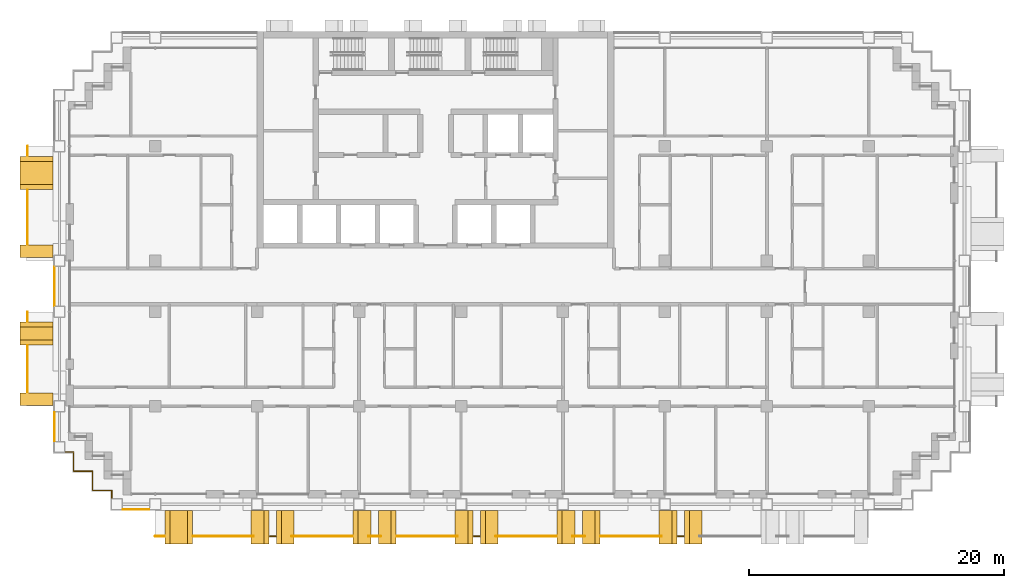
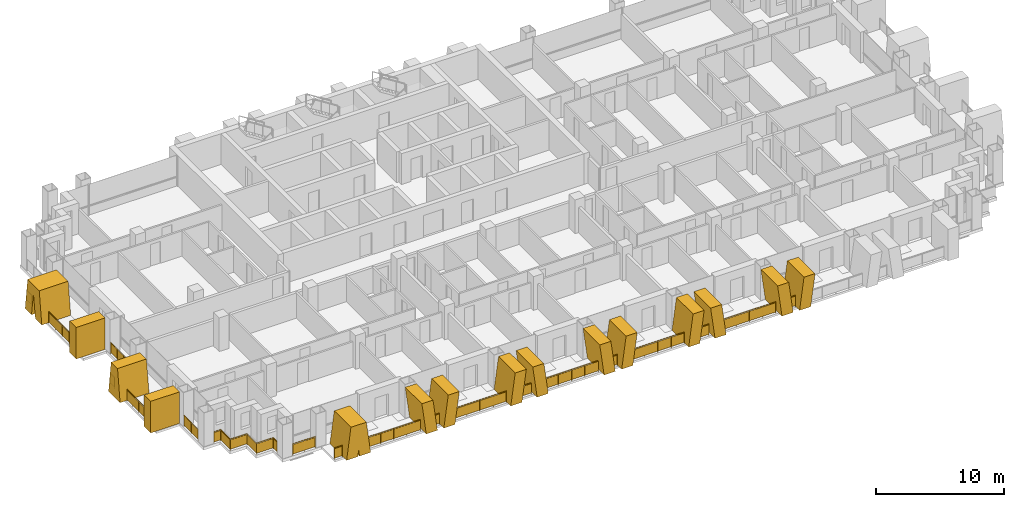
# One storey, part 15 of 18: 19 railings, 15 shading devices.
"""IFC4 building model written with IfcOpenShell, lengths in metres."""

import ifcopenshell
import ifcopenshell.guid

model = None  # the IFC model being written
_history = None  # IfcOwnerHistory: only IFC2X3 demands one
_inside = {}  # id of a spatial element -> (the spatial element, [elements in it])
_under = {}  # id of a project, library or spatial element -> (it, [spatial elements below it])
_declared = {}  # id of a project -> (the project, [libraries it declares])
_typed = {}  # id of a type object -> (the type object, [elements of that type])
_made_of = {}  # id of a material, layer set ... -> (it, [elements and type objects made of it])


def new_model(schema):
    """Start an empty IFC model of exactly this schema.

    Asked for "IFC4X3", IfcOpenShell would pick the latest addendum, in which some entities
    have other attributes; the version numbers below select the first issue.
    IFC2X3 requires an IfcOwnerHistory on every rooted entity: one is made here for all.
    """
    global model, _history
    if schema == "IFC4X3":
        model = ifcopenshell.file(schema_version=(4, 3, 0, 0))
    else:
        model = ifcopenshell.file(schema=schema)
    _inside.clear()
    _under.clear()
    _declared.clear()
    _typed.clear()
    _made_of.clear()
    _history = None
    if model.schema == "IFC2X3":
        org = make("IfcOrganization", Name="unknown")
        user = make(
            "IfcPersonAndOrganization",
            ThePerson=make("IfcPerson", FamilyName="unknown"),
            TheOrganization=org,
        )
        app = make(
            "IfcApplication",
            ApplicationDeveloper=org,
            Version="unknown",
            ApplicationFullName="unknown",
            ApplicationIdentifier="unknown",
        )
        _history = make(
            "IfcOwnerHistory",
            OwningUser=user,
            OwningApplication=app,
            ChangeAction="ADDED",
            CreationDate=0,
        )
    return model


def make(cls, **values):
    """One entity of the class cls with the attributes given. An attribute that is None is left unset."""
    return model.create_entity(
        cls, **{name: value for name, value in values.items() if value is not None}
    )


def rooted(cls, **values):
    """An entity with a GlobalId (a new one), such as an element, a storey or a relation."""
    return make(cls, GlobalId=ifcopenshell.guid.new(), OwnerHistory=_history, **values)


def si_unit(unit_type, name, prefix=None):
    """IfcSIUnit, for example si_unit("LENGTHUNIT", "METRE", prefix="MILLI")."""
    return make("IfcSIUnit", UnitType=unit_type, Prefix=prefix, Name=name)


def assignment(units):
    """IfcUnitAssignment: the units of a project."""
    return None if units is None else make("IfcUnitAssignment", Units=units)


def point(xyz):
    """IfcCartesianPoint."""
    return None if xyz is None else make("IfcCartesianPoint", Coordinates=xyz)


def direction(xyz):
    """IfcDirection."""
    return None if xyz is None else make("IfcDirection", DirectionRatios=xyz)


def frame(location, z_axis=None, x_axis=None):
    """IfcAxis2Placement3D, a coordinate frame: its origin and axes. An axis left out is left unset."""
    return make(
        "IfcAxis2Placement3D",
        Location=point(location),
        Axis=direction(z_axis),
        RefDirection=direction(x_axis),
    )


def frame_2d(location, x_axis=None):
    """IfcAxis2Placement2D, a coordinate frame in the plane: its origin and x axis."""
    return make(
        "IfcAxis2Placement2D", Location=point(location), RefDirection=direction(x_axis)
    )


def origin():
    """The frame at (0, 0, 0) with its axes left unset."""
    return frame((0.0, 0.0, 0.0))


def origin_2d():
    """The frame at (0, 0) in the plane with its x axis left unset."""
    return frame_2d((0.0, 0.0))


def place(relative_to, where):
    """IfcLocalPlacement: puts the frame where relative to a parent placement (None: the world)."""
    return make(
        "IfcLocalPlacement", PlacementRelTo=relative_to, RelativePlacement=where
    )


def context(
    kind, dimensions, precision=None, world=None, true_north=None, identifier=None
):
    """IfcGeometricRepresentationContext, for example the 3D "Model" context."""
    return make(
        "IfcGeometricRepresentationContext",
        ContextIdentifier=identifier,
        ContextType=kind,
        CoordinateSpaceDimension=dimensions,
        Precision=precision,
        WorldCoordinateSystem=world,
        TrueNorth=true_north,
    )


def subcontext(parent, identifier, kind, view, scale=None):
    """IfcGeometricRepresentationSubContext, for example "Body" below "Model"."""
    return make(
        "IfcGeometricRepresentationSubContext",
        ContextIdentifier=identifier,
        ContextType=kind,
        ParentContext=parent,
        TargetScale=scale,
        TargetView=view,
    )


def project(units=None, contexts=None):
    """IfcProject with its units and contexts."""
    return rooted(
        "IfcProject",
        Name="project",
        RepresentationContexts=contexts,
        UnitsInContext=assignment(units),
    )


def spatial(cls, under=None, at=None, **own):
    """A site, building, storey or space (cls), placed at a placement, below another one or the project."""
    s = rooted(cls, ObjectPlacement=at, **own)
    if under is not None:
        _under.setdefault(under.id(), (under, []))[1].append(s)
    return s


def polyline(points):
    """IfcPolyline through the points."""
    return make("IfcPolyline", Points=[point(p) for p in points])


def profile(cls, at=None, kind="AREA", **sizes):
    """A parametric profile (cls). Its sizes go by their IFC names, for example OverallWidth=200.0."""
    return make(cls, ProfileType=kind, Position=at, **sizes)


def rectangle(**sizes):
    """IfcRectangleProfileDef."""
    return profile("IfcRectangleProfileDef", **sizes)


def circle(**sizes):
    """IfcCircleProfileDef."""
    return profile("IfcCircleProfileDef", **sizes)


def outline(outer, holes=None, kind="AREA"):
    """IfcArbitraryClosedProfileDef: a profile drawn as a closed curve; with holes, ...WithVoids."""
    if holes is None:
        return make("IfcArbitraryClosedProfileDef", ProfileType=kind, OuterCurve=outer)
    return make(
        "IfcArbitraryProfileDefWithVoids",
        ProfileType=kind,
        OuterCurve=outer,
        InnerCurves=holes,
    )


def extrude(swept, where, along, depth):
    """IfcExtrudedAreaSolid: the profile swept, set in the frame where, extruded along a direction by depth."""
    return make(
        "IfcExtrudedAreaSolid",
        SweptArea=swept,
        Position=where,
        ExtrudedDirection=direction(along),
        Depth=depth,
    )


def shape(context_of_items, identifier, shape_type, items):
    """IfcShapeRepresentation: the items that make up one representation, for example the "Body"."""
    return make(
        "IfcShapeRepresentation",
        ContextOfItems=context_of_items,
        RepresentationIdentifier=identifier,
        RepresentationType=shape_type,
        Items=items,
    )


def material(Name=None, Category=None):
    """IfcMaterial."""
    return make("IfcMaterial", Name=Name, Category=Category)


def layer(
    of_material, thickness, ventilated=None, Name=None, Category=None, Priority=None
):
    """IfcMaterialLayer: one layer of a wall or slab, of a material (None: an air gap)."""
    return make(
        "IfcMaterialLayer",
        Material=of_material,
        LayerThickness=thickness,
        IsVentilated=ventilated,
        Name=Name,
        Category=Category,
        Priority=Priority,
    )


def layer_set(layers, Name=None):
    """IfcMaterialLayerSet."""
    return make("IfcMaterialLayerSet", MaterialLayers=layers, LayerSetName=Name)


def made_of(thing, what):
    """Note that an element or type object is made of a material, layer set ...; save() writes the relation."""
    if what is not None:
        _made_of.setdefault(what.id(), (what, []))[1].append(thing)
    return thing


def type_object(cls, material=None, **own):
    """A type object (cls), such as IfcWallType, which elements share."""
    return made_of(rooted(cls, **own), material)


def element(
    cls,
    number,
    at=None,
    inside=None,
    cuts=None,
    type_object=None,
    material=None,
    context=None,
    identifier="Body",
    shape_type=None,
    held_by="IfcProductDefinitionShape",
    body=None,
    shapes=None,
    **own,
):
    """One element of the class cls, such as IfcWall. Its Tag is "e" and its number.

    at: its placement. inside: the storey or other place that contains it. cuts: it is an
    opening in that element (IfcRelVoidsElement). A single representation is given by context,
    identifier, shape_type and body (its items); several are given by shapes. held_by: the class
    of the entity that holds the representations. save() writes the other relations.
    """
    e = rooted(cls, Tag="e%d" % number, ObjectPlacement=at, **own)
    if body is not None:
        shapes = [shape(context, identifier, shape_type, body)]
    if shapes is not None:
        e.Representation = make(held_by, Representations=shapes)
    if inside is not None:
        _inside.setdefault(inside.id(), (inside, []))[1].append(e)
    if cuts is not None:
        rooted(
            "IfcRelVoidsElement", RelatingBuildingElement=cuts, RelatedOpeningElement=e
        )
    if type_object is not None:
        _typed.setdefault(type_object.id(), (type_object, []))[1].append(e)
    return made_of(e, material)


def aggregate(whole, parts):
    """IfcRelAggregates: a whole, such as a stair, and the parts it consists of."""
    return rooted("IfcRelAggregates", RelatingObject=whole, RelatedObjects=parts)


def save(model, path):
    """Write the relations noted so far, then the file.

    IfcRelAggregates (storeys below a building ...), IfcRelContainedInSpatialStructure (elements
    in a storey), IfcRelDefinesByType, IfcRelAssociatesMaterial and IfcRelDeclares: one each for
    every whole, place, type object, material and project.
    """
    for whole, parts in _under.values():
        aggregate(whole, parts)
    for where, things in _inside.values():
        rooted(
            "IfcRelContainedInSpatialStructure",
            RelatedElements=things,
            RelatingStructure=where,
        )
    for kind, things in _typed.values():
        rooted("IfcRelDefinesByType", RelatedObjects=things, RelatingType=kind)
    for what, things in _made_of.values():
        rooted("IfcRelAssociatesMaterial", RelatedObjects=things, RelatingMaterial=what)
    for by, libraries in _declared.values():
        rooted("IfcRelDeclares", RelatingContext=by, RelatedDefinitions=libraries)
    model.write(path)


model = new_model("IFC4")

# Units and contexts
model_context = context("Model", 3, precision=1e-05, world=origin(), true_north=direction((0.0, 1.0)))
body_context = subcontext(model_context, "Body", "Model", "MODEL_VIEW")
ifc_project = project(units=[si_unit("LENGTHUNIT", "METRE"), si_unit("AREAUNIT", "SQUARE_METRE"), si_unit("VOLUMEUNIT", "CUBIC_METRE"), si_unit("PLANEANGLEUNIT", "RADIAN"), si_unit("MASSUNIT", "GRAM", prefix="KILO")], contexts=[model_context])

# Site, building, storey
site_placement = place(None, origin())
site = spatial("IfcSite", under=ifc_project, at=site_placement, CompositionType="ELEMENT")
building_placement = place(site_placement, origin())
building = spatial("IfcBuilding", under=site, at=building_placement, Name="Vidyagriha Tower", CompositionType="ELEMENT")
storey_placement = place(building_placement, frame((0.0, 0.0, 83.89990234375)))
storey = spatial("IfcBuildingStorey", under=building, at=storey_placement, Name="L21", CompositionType="ELEMENT", Elevation=83.89990234375)

# Railings
ifc_material_1 = material(Name="Steel ASTM A500 Grade C black painted", Category="steel")
railing_type_1 = type_object("IfcRailingType", Name="Balcony guard 1100", PredefinedType="BALUSTRADE", material=ifc_material_1)
railing_1_placement = place(storey_placement, frame((-32.0, 11.0, 0.0)))
element("IfcRailing", 1, at=railing_1_placement, inside=storey, type_object=railing_type_1, Name="Balcony guard L21 R16.1-1", PredefinedType="BALUSTRADE", context=body_context, shape_type="SweptSolid", body=[
    extrude(circle(Radius=0.02490234375, at=origin_2d()), frame((0.0, 0.0, 1.0751953125), z_axis=(0.0, -1.0, 0.0), x_axis=(1.0, 0.0, 0.0)), (0.0, 0.0, 1.0), 0.75),
    extrude(circle(Radius=0.02001953125, at=origin_2d()), origin(), (0.0, 0.0, 1.0), 1.050048828125),
    extrude(circle(Radius=0.02001953125, at=origin_2d()), frame((0.0, -0.75, 0.0)), (0.0, 0.0, 1.0), 1.050048828125),
    extrude(rectangle(XDim=0.010009765625, YDim=0.900146484375, at=origin_2d()), frame((0.0, 0.0, 0.550048828125), z_axis=(0.0, -1.0, 0.0), x_axis=(1.0, 0.0, 0.0)), (0.0, 0.0, 1.0), 0.75),
])
railing_2_placement = place(storey_placement, frame((-32.0, 7.550048828125, 0.0)))
element("IfcRailing", 2, at=railing_2_placement, inside=storey, type_object=railing_type_1, Name="Balcony guard L21 R16.1-2", PredefinedType="BALUSTRADE", context=body_context, shape_type="SweptSolid", body=[
    extrude(circle(Radius=0.02490234375, at=origin_2d()), frame((0.0, 0.0, 1.0751953125), z_axis=(0.0, -1.0, 0.0), x_axis=(1.0, 0.0, 0.0)), (0.0, 0.0, 1.0), 4.25),
    extrude(circle(Radius=0.02001953125, at=origin_2d()), origin(), (0.0, 0.0, 1.0), 1.050048828125),
    extrude(circle(Radius=0.02001953125, at=origin_2d()), frame((0.0, -1.0625, 0.0)), (0.0, 0.0, 1.0), 1.050048828125),
    extrude(circle(Radius=0.02001953125, at=origin_2d()), frame((0.0, -2.125, 0.0)), (0.0, 0.0, 1.0), 1.050048828125),
    extrude(circle(Radius=0.02001953125, at=origin_2d()), frame((0.0, -3.1875, 0.0)), (0.0, 0.0, 1.0), 1.050048828125),
    extrude(circle(Radius=0.02001953125, at=origin_2d()), frame((0.0, -4.25, 0.0)), (0.0, 0.0, 1.0), 1.050048828125),
    extrude(rectangle(XDim=0.010009765625, YDim=0.900146484375, at=origin_2d()), frame((0.0, 0.0, 0.550048828125), z_axis=(0.0, -1.0, 0.0), x_axis=(1.0, 0.0, 0.0)), (0.0, 0.0, 1.0), 4.25),
])
railing_3_placement = place(storey_placement, frame((-32.0, -2.0, 0.0)))
element("IfcRailing", 3, at=railing_3_placement, inside=storey, type_object=railing_type_1, Name="Balcony guard L21 R16.2-1", PredefinedType="BALUSTRADE", context=body_context, shape_type="SweptSolid", body=[
    extrude(circle(Radius=0.02490234375, at=origin_2d()), frame((0.0, 0.0, 1.0751953125), z_axis=(0.0, -1.0, 0.0), x_axis=(1.0, 0.0, 0.0)), (0.0, 0.0, 1.0), 0.75),
    extrude(circle(Radius=0.02001953125, at=origin_2d()), origin(), (0.0, 0.0, 1.0), 1.050048828125),
    extrude(circle(Radius=0.02001953125, at=origin_2d()), frame((0.0, -0.75, 0.0)), (0.0, 0.0, 1.0), 1.050048828125),
    extrude(rectangle(XDim=0.010009765625, YDim=0.900146484375, at=origin_2d()), frame((0.0, 0.0, 0.550048828125), z_axis=(0.0, -1.0, 0.0), x_axis=(1.0, 0.0, 0.0)), (0.0, 0.0, 1.0), 0.75),
])
railing_4_placement = place(storey_placement, frame((-32.0, -4.64990234375, 0.0)))
element("IfcRailing", 4, at=railing_4_placement, inside=storey, type_object=railing_type_1, Name="Balcony guard L21 R16.2-2", PredefinedType="BALUSTRADE", context=body_context, shape_type="SweptSolid", body=[
    extrude(circle(Radius=0.02490234375, at=origin_2d()), frame((0.0, 0.0, 1.0751953125), z_axis=(0.0, -1.0, 0.0), x_axis=(1.0, 0.0, 0.0)), (0.0, 0.0, 1.0), 3.650146484375),
    extrude(circle(Radius=0.02001953125, at=origin_2d()), origin(), (0.0, 0.0, 1.0), 1.050048828125),
    extrude(circle(Radius=0.02001953125, at=origin_2d()), frame((0.0, -0.91259765625, 0.0)), (0.0, 0.0, 1.0), 1.050048828125),
    extrude(circle(Radius=0.02001953125, at=origin_2d()), frame((0.0, -1.8251953125, 0.0)), (0.0, 0.0, 1.0), 1.050048828125),
    extrude(circle(Radius=0.02001953125, at=origin_2d()), frame((0.0, -2.737548828125, 0.0)), (0.0, 0.0, 1.0), 1.050048828125),
    extrude(circle(Radius=0.02001953125, at=origin_2d()), frame((0.0, -3.650146484375, 0.0)), (0.0, 0.0, 1.0), 1.050048828125),
    extrude(rectangle(XDim=0.010009765625, YDim=0.900146484375, at=origin_2d()), frame((0.0, 0.0, 0.550048828125), z_axis=(0.0, -1.0, 0.0), x_axis=(1.0, 0.0, 0.0)), (0.0, 0.0, 1.0), 3.650146484375),
])
railing_5_placement = place(storey_placement, frame((-22.0, -19.60009765625, 0.0)))
element("IfcRailing", 5, at=railing_5_placement, inside=storey, type_object=railing_type_1, Name="Balcony guard L21 R23.1-1", PredefinedType="BALUSTRADE", context=body_context, shape_type="SweptSolid", body=[
    extrude(circle(Radius=0.02490234375, at=origin_2d()), frame((0.0, 0.0, 1.0751953125), z_axis=(1.0, 0.0, 0.0), x_axis=(0.0, 1.0, 0.0)), (0.0, 0.0, 1.0), 0.721435546875),
    extrude(circle(Radius=0.02001953125, at=origin_2d()), origin(), (0.0, 0.0, 1.0), 1.050048828125),
    extrude(circle(Radius=0.02001953125, at=origin_2d()), frame((0.721435546875, 0.0, 0.0)), (0.0, 0.0, 1.0), 1.050048828125),
    extrude(rectangle(XDim=0.010009765625, YDim=0.900146484375, at=origin_2d()), frame((0.0, 0.0, 0.550048828125), z_axis=(1.0, 0.0, 0.0), x_axis=(0.0, 1.0, 0.0)), (0.0, 0.0, 1.0), 0.721435546875),
])
railing_6_placement = place(storey_placement, frame((-19.021484375, -19.60009765625, 0.0)))
element("IfcRailing", 6, at=railing_6_placement, inside=storey, type_object=railing_type_1, Name="Balcony guard L21 R23.1-2", PredefinedType="BALUSTRADE", context=body_context, shape_type="SweptSolid", body=[
    extrude(circle(Radius=0.02490234375, at=origin_2d()), frame((0.0, 0.0, 1.0751953125), z_axis=(1.0, 0.0, 0.0), x_axis=(0.0, 1.0, 0.0)), (0.0, 0.0, 1.0), 4.755126953125),
    extrude(circle(Radius=0.02001953125, at=origin_2d()), origin(), (0.0, 0.0, 1.0), 1.050048828125),
    extrude(circle(Radius=0.02001953125, at=origin_2d()), frame((1.188720703125, 0.0, 0.0)), (0.0, 0.0, 1.0), 1.050048828125),
    extrude(circle(Radius=0.02001953125, at=origin_2d()), frame((2.37744140625, 0.0, 0.0)), (0.0, 0.0, 1.0), 1.050048828125),
    extrude(circle(Radius=0.02001953125, at=origin_2d()), frame((3.56640625, 0.0, 0.0)), (0.0, 0.0, 1.0), 1.050048828125),
    extrude(circle(Radius=0.02001953125, at=origin_2d()), frame((4.755126953125, 0.0, 0.0)), (0.0, 0.0, 1.0), 1.050048828125),
    extrude(rectangle(XDim=0.010009765625, YDim=0.900146484375, at=origin_2d()), frame((0.0, 0.0, 0.550048828125), z_axis=(1.0, 0.0, 0.0), x_axis=(0.0, 1.0, 0.0)), (0.0, 0.0, 1.0), 4.755126953125),
])
railing_7_placement = place(storey_placement, frame((-13.014892578125, -19.60009765625, 0.0)))
element("IfcRailing", 7, at=railing_7_placement, inside=storey, type_object=railing_type_1, Name="Balcony guard L21 R23.1-3", PredefinedType="BALUSTRADE", context=body_context, shape_type="SweptSolid", body=[
    extrude(circle(Radius=0.02490234375, at=origin_2d()), frame((0.0, 0.0, 1.0751953125), z_axis=(1.0, 0.0, 0.0), x_axis=(0.0, 1.0, 0.0)), (0.0, 0.0, 1.0), 0.47998046875),
    extrude(circle(Radius=0.02001953125, at=origin_2d()), origin(), (0.0, 0.0, 1.0), 1.050048828125),
    extrude(circle(Radius=0.02001953125, at=origin_2d()), frame((0.47998046875, 0.0, 0.0)), (0.0, 0.0, 1.0), 1.050048828125),
    extrude(rectangle(XDim=0.010009765625, YDim=0.900146484375, at=origin_2d()), frame((0.0, 0.0, 0.550048828125), z_axis=(1.0, 0.0, 0.0), x_axis=(0.0, 1.0, 0.0)), (0.0, 0.0, 1.0), 0.47998046875),
])
railing_8_placement = place(storey_placement, frame((-11.28369140625, -19.60009765625, 0.0)))
element("IfcRailing", 8, at=railing_8_placement, inside=storey, type_object=railing_type_1, Name="Balcony guard L21 R23.1-4", PredefinedType="BALUSTRADE", context=body_context, shape_type="SweptSolid", body=[
    extrude(circle(Radius=0.02490234375, at=origin_2d()), frame((0.0, 0.0, 1.0751953125), z_axis=(1.0, 0.0, 0.0), x_axis=(0.0, 1.0, 0.0)), (0.0, 0.0, 1.0), 4.773681640625),
    extrude(circle(Radius=0.02001953125, at=origin_2d()), origin(), (0.0, 0.0, 1.0), 1.050048828125),
    extrude(circle(Radius=0.02001953125, at=origin_2d()), frame((1.193359375, 0.0, 0.0)), (0.0, 0.0, 1.0), 1.050048828125),
    extrude(circle(Radius=0.02001953125, at=origin_2d()), frame((2.38671875, 0.0, 0.0)), (0.0, 0.0, 1.0), 1.050048828125),
    extrude(circle(Radius=0.02001953125, at=origin_2d()), frame((3.580322265625, 0.0, 0.0)), (0.0, 0.0, 1.0), 1.050048828125),
    extrude(circle(Radius=0.02001953125, at=origin_2d()), frame((4.773681640625, 0.0, 0.0)), (0.0, 0.0, 1.0), 1.050048828125),
    extrude(rectangle(XDim=0.010009765625, YDim=0.900146484375, at=origin_2d()), frame((0.0, 0.0, 0.550048828125), z_axis=(1.0, 0.0, 0.0), x_axis=(0.0, 1.0, 0.0)), (0.0, 0.0, 1.0), 4.773681640625),
])
railing_9_placement = place(storey_placement, frame((-5.258544921875, -19.60009765625, 0.0)))
element("IfcRailing", 9, at=railing_9_placement, inside=storey, type_object=railing_type_1, Name="Balcony guard L21 R23.1-5", PredefinedType="BALUSTRADE", context=body_context, shape_type="SweptSolid", body=[
    extrude(circle(Radius=0.02490234375, at=origin_2d()), frame((0.0, 0.0, 1.0751953125), z_axis=(1.0, 0.0, 0.0), x_axis=(0.0, 1.0, 0.0)), (0.0, 0.0, 1.0), 0.967041015625),
    extrude(circle(Radius=0.02001953125, at=origin_2d()), origin(), (0.0, 0.0, 1.0), 1.050048828125),
    extrude(circle(Radius=0.02001953125, at=origin_2d()), frame((0.967041015625, 0.0, 0.0)), (0.0, 0.0, 1.0), 1.050048828125),
    extrude(rectangle(XDim=0.010009765625, YDim=0.900146484375, at=origin_2d()), frame((0.0, 0.0, 0.550048828125), z_axis=(1.0, 0.0, 0.0), x_axis=(0.0, 1.0, 0.0)), (0.0, 0.0, 1.0), 0.967041015625),
])
railing_10_placement = place(storey_placement, frame((-3.0400390625, -19.60009765625, 0.0)))
element("IfcRailing", 10, at=railing_10_placement, inside=storey, type_object=railing_type_1, Name="Balcony guard L21 R23.1-6", PredefinedType="BALUSTRADE", context=body_context, shape_type="SweptSolid", body=[
    extrude(circle(Radius=0.02490234375, at=origin_2d()), frame((0.0, 0.0, 1.0751953125), z_axis=(1.0, 0.0, 0.0), x_axis=(0.0, 1.0, 0.0)), (0.0, 0.0, 1.0), 4.773681640625),
    extrude(circle(Radius=0.02001953125, at=origin_2d()), origin(), (0.0, 0.0, 1.0), 1.050048828125),
    extrude(circle(Radius=0.02001953125, at=origin_2d()), frame((1.193359375, 0.0, 0.0)), (0.0, 0.0, 1.0), 1.050048828125),
    extrude(circle(Radius=0.02001953125, at=origin_2d()), frame((2.38671875, 0.0, 0.0)), (0.0, 0.0, 1.0), 1.050048828125),
    extrude(circle(Radius=0.02001953125, at=origin_2d()), frame((3.580322265625, 0.0, 0.0)), (0.0, 0.0, 1.0), 1.050048828125),
    extrude(circle(Radius=0.02001953125, at=origin_2d()), frame((4.773681640625, 0.0, 0.0)), (0.0, 0.0, 1.0), 1.050048828125),
    extrude(rectangle(XDim=0.010009765625, YDim=0.900146484375, at=origin_2d()), frame((0.0, 0.0, 0.550048828125), z_axis=(1.0, 0.0, 0.0), x_axis=(0.0, 1.0, 0.0)), (0.0, 0.0, 1.0), 4.773681640625),
])
railing_11_placement = place(storey_placement, frame((2.985107421875, -19.60009765625, 0.0)))
element("IfcRailing", 11, at=railing_11_placement, inside=storey, type_object=railing_type_1, Name="Balcony guard L21 R23.1-7", PredefinedType="BALUSTRADE", context=body_context, shape_type="SweptSolid", body=[
    extrude(circle(Radius=0.02490234375, at=origin_2d()), frame((0.0, 0.0, 1.0751953125), z_axis=(1.0, 0.0, 0.0), x_axis=(0.0, 1.0, 0.0)), (0.0, 0.0, 1.0), 0.47998046875),
    extrude(circle(Radius=0.02001953125, at=origin_2d()), origin(), (0.0, 0.0, 1.0), 1.050048828125),
    extrude(circle(Radius=0.02001953125, at=origin_2d()), frame((0.47998046875, 0.0, 0.0)), (0.0, 0.0, 1.0), 1.050048828125),
    extrude(rectangle(XDim=0.010009765625, YDim=0.900146484375, at=origin_2d()), frame((0.0, 0.0, 0.550048828125), z_axis=(1.0, 0.0, 0.0), x_axis=(0.0, 1.0, 0.0)), (0.0, 0.0, 1.0), 0.47998046875),
])
railing_12_placement = place(storey_placement, frame((4.71630859375, -19.60009765625, 0.0)))
element("IfcRailing", 12, at=railing_12_placement, inside=storey, type_object=railing_type_1, Name="Balcony guard L21 R23.1-8", PredefinedType="BALUSTRADE", context=body_context, shape_type="SweptSolid", body=[
    extrude(circle(Radius=0.02490234375, at=origin_2d()), frame((0.0, 0.0, 1.0751953125), z_axis=(1.0, 0.0, 0.0), x_axis=(0.0, 1.0, 0.0)), (0.0, 0.0, 1.0), 4.773681640625),
    extrude(circle(Radius=0.02001953125, at=origin_2d()), origin(), (0.0, 0.0, 1.0), 1.050048828125),
    extrude(circle(Radius=0.02001953125, at=origin_2d()), frame((1.193359375, 0.0, 0.0)), (0.0, 0.0, 1.0), 1.050048828125),
    extrude(circle(Radius=0.02001953125, at=origin_2d()), frame((2.38671875, 0.0, 0.0)), (0.0, 0.0, 1.0), 1.050048828125),
    extrude(circle(Radius=0.02001953125, at=origin_2d()), frame((3.580322265625, 0.0, 0.0)), (0.0, 0.0, 1.0), 1.050048828125),
    extrude(circle(Radius=0.02001953125, at=origin_2d()), frame((4.773681640625, 0.0, 0.0)), (0.0, 0.0, 1.0), 1.050048828125),
    extrude(rectangle(XDim=0.010009765625, YDim=0.900146484375, at=origin_2d()), frame((0.0, 0.0, 0.550048828125), z_axis=(1.0, 0.0, 0.0), x_axis=(0.0, 1.0, 0.0)), (0.0, 0.0, 1.0), 4.773681640625),
])
railing_13_placement = place(storey_placement, frame((10.741455078125, -19.60009765625, 0.0)))
element("IfcRailing", 13, at=railing_13_placement, inside=storey, type_object=railing_type_1, Name="Balcony guard L21 R23.1-9", PredefinedType="BALUSTRADE", context=body_context, shape_type="SweptSolid", body=[
    extrude(circle(Radius=0.02490234375, at=origin_2d()), frame((0.0, 0.0, 1.0751953125), z_axis=(1.0, 0.0, 0.0), x_axis=(0.0, 1.0, 0.0)), (0.0, 0.0, 1.0), 0.967041015625),
    extrude(circle(Radius=0.02001953125, at=origin_2d()), origin(), (0.0, 0.0, 1.0), 1.050048828125),
    extrude(circle(Radius=0.02001953125, at=origin_2d()), frame((0.967041015625, 0.0, 0.0)), (0.0, 0.0, 1.0), 1.050048828125),
    extrude(rectangle(XDim=0.010009765625, YDim=0.900146484375, at=origin_2d()), frame((0.0, 0.0, 0.550048828125), z_axis=(1.0, 0.0, 0.0), x_axis=(0.0, 1.0, 0.0)), (0.0, 0.0, 1.0), 0.967041015625),
])
railing_14_placement = place(storey_placement, frame((12.9599609375, -19.60009765625, 0.0)))
element("IfcRailing", 14, at=railing_14_placement, inside=storey, type_object=railing_type_1, Name="Balcony guard L21 R23.1-10", PredefinedType="BALUSTRADE", context=body_context, shape_type="SweptSolid", body=[
    extrude(circle(Radius=0.02490234375, at=origin_2d()), frame((0.0, 0.0, 1.0751953125), z_axis=(1.0, 0.0, 0.0), x_axis=(0.0, 1.0, 0.0)), (0.0, 0.0, 1.0), 4.773681640625),
    extrude(circle(Radius=0.02001953125, at=origin_2d()), origin(), (0.0, 0.0, 1.0), 1.050048828125),
    extrude(circle(Radius=0.02001953125, at=origin_2d()), frame((1.193359375, 0.0, 0.0)), (0.0, 0.0, 1.0), 1.050048828125),
    extrude(circle(Radius=0.02001953125, at=origin_2d()), frame((2.38671875, 0.0, 0.0)), (0.0, 0.0, 1.0), 1.050048828125),
    extrude(circle(Radius=0.02001953125, at=origin_2d()), frame((3.580322265625, 0.0, 0.0)), (0.0, 0.0, 1.0), 1.050048828125),
    extrude(circle(Radius=0.02001953125, at=origin_2d()), frame((4.773681640625, 0.0, 0.0)), (0.0, 0.0, 1.0), 1.050048828125),
    extrude(rectangle(XDim=0.010009765625, YDim=0.900146484375, at=origin_2d()), frame((0.0, 0.0, 0.550048828125), z_axis=(1.0, 0.0, 0.0), x_axis=(0.0, 1.0, 0.0)), (0.0, 0.0, 1.0), 4.773681640625),
])
railing_15_placement = place(storey_placement, frame((18.985107421875, -19.60009765625, 0.0)))
element("IfcRailing", 15, at=railing_15_placement, inside=storey, type_object=railing_type_1, Name="Balcony guard L21 R23.1-11", PredefinedType="BALUSTRADE", context=body_context, shape_type="SweptSolid", body=[
    extrude(circle(Radius=0.02490234375, at=origin_2d()), frame((0.0, 0.0, 1.0751953125), z_axis=(1.0, 0.0, 0.0), x_axis=(0.0, 1.0, 0.0)), (0.0, 0.0, 1.0), 0.47998046875),
    extrude(circle(Radius=0.02001953125, at=origin_2d()), origin(), (0.0, 0.0, 1.0), 1.050048828125),
    extrude(circle(Radius=0.02001953125, at=origin_2d()), frame((0.47998046875, 0.0, 0.0)), (0.0, 0.0, 1.0), 1.050048828125),
    extrude(rectangle(XDim=0.010009765625, YDim=0.900146484375, at=origin_2d()), frame((0.0, 0.0, 0.550048828125), z_axis=(1.0, 0.0, 0.0), x_axis=(0.0, 1.0, 0.0)), (0.0, 0.0, 1.0), 0.47998046875),
])

# Shading devices
ifc_material_2 = material(Name="Precast concrete C40/50 with buff brick facing", Category="concrete")
ifc_layer_1 = layer(ifc_material_2, 1.0)
ifc_layer_set_1 = layer_set([ifc_layer_1], Name="Precast concrete C40/50 with buff brick facing")
shading_device_type_1 = type_object("IfcShadingDeviceType", Name="Brick-faced blade fin arm leaning 8 degrees", PredefinedType="USERDEFINED", material=ifc_layer_set_1)
shading_device_1_placement = place(storey_placement, frame((-12.485107421875, -18.89990234375, 0.0)))
element("IfcShadingDevice", 16, at=shading_device_1_placement, inside=storey, type_object=shading_device_type_1, Name="Leaning blade fin L21 R23.990a", ObjectType="BLADE FIN", PredefinedType="USERDEFINED", context=body_context, shape_type="SweptSolid", body=[
    extrude(outline(polyline([(0.0, 0.0), (1.0, 0.0), (1.39501953125, 3.0), (0.39501953125, 3.0), (0.0, 0.0)])), frame((0.0, 1.300048828125, 0.0), z_axis=(0.0, -1.0, 0.0), x_axis=(1.0, 0.0, 0.0)), (0.0, 0.0, 1.0), 2.60009765625),
])
shading_device_2_placement = place(storey_placement, frame((-14.4599609375, -18.89990234375, 0.0)))
element("IfcShadingDevice", 17, at=shading_device_2_placement, inside=storey, type_object=shading_device_type_1, Name="Leaning blade fin L21 R23.990b", ObjectType="BLADE FIN", PredefinedType="USERDEFINED", context=body_context, shape_type="SweptSolid", body=[
    extrude(outline(polyline([(0.39501953125, 0.0), (1.39501953125, 0.0), (1.0, 3.0), (0.0, 3.0), (0.39501953125, 0.0)])), frame((0.0, 1.300048828125, 0.0), z_axis=(0.0, -1.0, 0.0), x_axis=(1.0, 0.0, 0.0)), (0.0, 0.0, 1.0), 2.60009765625),
])
shading_device_3_placement = place(storey_placement, frame((-6.4599609375, -18.89990234375, 0.0)))
element("IfcShadingDevice", 18, at=shading_device_3_placement, inside=storey, type_object=shading_device_type_1, Name="Leaning blade fin L21 R23.1790a", ObjectType="BLADE FIN", PredefinedType="USERDEFINED", context=body_context, shape_type="SweptSolid", body=[
    extrude(outline(polyline([(0.0, 0.0), (1.0, 0.0), (1.39501953125, 3.0), (0.39501953125, 3.0), (0.0, 0.0)])), frame((0.0, 1.300048828125, 0.0), z_axis=(0.0, -1.0, 0.0), x_axis=(1.0, 0.0, 0.0)), (0.0, 0.0, 1.0), 2.60009765625),
])
shading_device_4_placement = place(storey_placement, frame((-4.485107421875, -18.89990234375, 0.0)))
element("IfcShadingDevice", 19, at=shading_device_4_placement, inside=storey, type_object=shading_device_type_1, Name="Leaning blade fin L21 R23.1790b", ObjectType="BLADE FIN", PredefinedType="USERDEFINED", context=body_context, shape_type="SweptSolid", body=[
    extrude(outline(polyline([(0.39501953125, 0.0), (1.39501953125, 0.0), (1.0, 3.0), (0.0, 3.0), (0.39501953125, 0.0)])), frame((0.0, 1.300048828125, 0.0), z_axis=(0.0, -1.0, 0.0), x_axis=(1.0, 0.0, 0.0)), (0.0, 0.0, 1.0), 2.60009765625),
])
shading_device_5_placement = place(storey_placement, frame((3.514892578125, -18.89990234375, 0.0)))
element("IfcShadingDevice", 20, at=shading_device_5_placement, inside=storey, type_object=shading_device_type_1, Name="Leaning blade fin L21 R23.2590a", ObjectType="BLADE FIN", PredefinedType="USERDEFINED", context=body_context, shape_type="SweptSolid", body=[
    extrude(outline(polyline([(0.0, 0.0), (1.0, 0.0), (1.39501953125, 3.0), (0.39501953125, 3.0), (0.0, 0.0)])), frame((0.0, 1.300048828125, 0.0), z_axis=(0.0, -1.0, 0.0), x_axis=(1.0, 0.0, 0.0)), (0.0, 0.0, 1.0), 2.60009765625),
])
shading_device_6_placement = place(storey_placement, frame((1.5400390625, -18.89990234375, 0.0)))
element("IfcShadingDevice", 21, at=shading_device_6_placement, inside=storey, type_object=shading_device_type_1, Name="Leaning blade fin L21 R23.2590b", ObjectType="BLADE FIN", PredefinedType="USERDEFINED", context=body_context, shape_type="SweptSolid", body=[
    extrude(outline(polyline([(0.39501953125, 0.0), (1.39501953125, 0.0), (1.0, 3.0), (0.0, 3.0), (0.39501953125, 0.0)])), frame((0.0, 1.300048828125, 0.0), z_axis=(0.0, -1.0, 0.0), x_axis=(1.0, 0.0, 0.0)), (0.0, 0.0, 1.0), 2.60009765625),
])
shading_device_7_placement = place(storey_placement, frame((9.5400390625, -18.89990234375, 0.0)))
element("IfcShadingDevice", 22, at=shading_device_7_placement, inside=storey, type_object=shading_device_type_1, Name="Leaning blade fin L21 R23.3390a", ObjectType="BLADE FIN", PredefinedType="USERDEFINED", context=body_context, shape_type="SweptSolid", body=[
    extrude(outline(polyline([(0.0, 0.0), (1.0, 0.0), (1.39501953125, 3.0), (0.39501953125, 3.0), (0.0, 0.0)])), frame((0.0, 1.300048828125, 0.0), z_axis=(0.0, -1.0, 0.0), x_axis=(1.0, 0.0, 0.0)), (0.0, 0.0, 1.0), 2.60009765625),
])
shading_device_8_placement = place(storey_placement, frame((11.514892578125, -18.89990234375, 0.0)))
element("IfcShadingDevice", 23, at=shading_device_8_placement, inside=storey, type_object=shading_device_type_1, Name="Leaning blade fin L21 R23.3390b", ObjectType="BLADE FIN", PredefinedType="USERDEFINED", context=body_context, shape_type="SweptSolid", body=[
    extrude(outline(polyline([(0.39501953125, 0.0), (1.39501953125, 0.0), (1.0, 3.0), (0.0, 3.0), (0.39501953125, 0.0)])), frame((0.0, 1.300048828125, 0.0), z_axis=(0.0, -1.0, 0.0), x_axis=(1.0, 0.0, 0.0)), (0.0, 0.0, 1.0), 2.60009765625),
])
shading_device_9_placement = place(storey_placement, frame((19.514892578125, -18.89990234375, 0.0)))
element("IfcShadingDevice", 24, at=shading_device_9_placement, inside=storey, type_object=shading_device_type_1, Name="Leaning blade fin L21 R23.4190a", ObjectType="BLADE FIN", PredefinedType="USERDEFINED", context=body_context, shape_type="SweptSolid", body=[
    extrude(outline(polyline([(0.0, 0.0), (1.0, 0.0), (1.39501953125, 3.0), (0.39501953125, 3.0), (0.0, 0.0)])), frame((0.0, 1.300048828125, 0.0), z_axis=(0.0, -1.0, 0.0), x_axis=(1.0, 0.0, 0.0)), (0.0, 0.0, 1.0), 2.60009765625),
])
shading_device_10_placement = place(storey_placement, frame((17.5400390625, -18.89990234375, 0.0)))
element("IfcShadingDevice", 25, at=shading_device_10_placement, inside=storey, type_object=shading_device_type_1, Name="Leaning blade fin L21 R23.4190b", ObjectType="BLADE FIN", PredefinedType="USERDEFINED", context=body_context, shape_type="SweptSolid", body=[
    extrude(outline(polyline([(0.39501953125, 0.0), (1.39501953125, 0.0), (1.0, 3.0), (0.0, 3.0), (0.39501953125, 0.0)])), frame((0.0, 1.300048828125, 0.0), z_axis=(0.0, -1.0, 0.0), x_axis=(1.0, 0.0, 0.0)), (0.0, 0.0, 1.0), 2.60009765625),
])
ifc_material_3 = material(Name="Precast concrete C40/50 with buff brick facing", Category="concrete")
ifc_layer_2 = layer(ifc_material_3, 1.0)
ifc_layer_set_2 = layer_set([ifc_layer_2], Name="Precast concrete C40/50 with buff brick facing")
shading_device_type_2 = type_object("IfcShadingDeviceType", Name="Brick-faced blade fin forking 8 degrees", PredefinedType="USERDEFINED", material=ifc_layer_set_2)
shading_device_11_placement = place(storey_placement, frame((-31.300048828125, 10.199951171875, 0.0), z_axis=(0.0, 0.0, 1.0), x_axis=(0.0, -1.0, 0.0)))
element("IfcShadingDevice", 26, at=shading_device_11_placement, inside=storey, type_object=shading_device_type_2, Name="Forked blade fin L21 R16.290a", ObjectType="BLADE FIN", PredefinedType="USERDEFINED", context=body_context, shape_type="SweptSolid", body=[
    extrude(outline(polyline([(1.0, 0.0), (1.300048828125, 2.25), (1.60009765625, 0.0), (2.60009765625, 0.0), (2.199951171875, 3.0), (0.39990234375, 3.0), (0.0, 0.0), (1.0, 0.0)])), frame((0.0, 1.300048828125, 0.0), z_axis=(0.0, -1.0, 0.0), x_axis=(1.0, 0.0, 0.0)), (0.0, 0.0, 1.0), 2.60009765625),
])
shading_device_12_placement = place(storey_placement, frame((-31.300048828125, -2.800048828125, 0.0), z_axis=(0.0, 0.0, 1.0), x_axis=(0.0, -1.0, 0.0)))
element("IfcShadingDevice", 27, at=shading_device_12_placement, inside=storey, type_object=shading_device_type_2, Name="Forked blade fin L21 R16.1590a", ObjectType="BLADE FIN", PredefinedType="USERDEFINED", context=body_context, shape_type="SweptSolid", body=[
    extrude(outline(polyline([(0.0, 0.0), (1.800048828125, 0.0), (1.39990234375, 3.0), (0.39990234375, 3.0), (0.0, 0.0)])), frame((0.0, 1.300048828125, 0.0), z_axis=(0.0, -1.0, 0.0), x_axis=(1.0, 0.0, 0.0)), (0.0, 0.0, 1.0), 2.60009765625),
])
shading_device_13_placement = place(storey_placement, frame((-21.228515625, -18.89990234375, 0.0)))
element("IfcShadingDevice", 28, at=shading_device_13_placement, inside=storey, type_object=shading_device_type_2, Name="Forked blade fin L21 R23.190a", ObjectType="BLADE FIN", PredefinedType="USERDEFINED", context=body_context, shape_type="SweptSolid", body=[
    extrude(outline(polyline([(1.0, 0.0), (1.07861328125, 0.611083984375), (1.1572265625, 0.0), (2.1572265625, 0.0), (1.771484375, 3.0), (0.3857421875, 3.0), (0.0, 0.0), (1.0, 0.0)])), frame((0.0, 1.300048828125, 0.0), z_axis=(0.0, -1.0, 0.0), x_axis=(1.0, 0.0, 0.0)), (0.0, 0.0, 1.0), 2.60009765625),
])
ifc_material_4 = material(Name="Precast concrete C40/50 with buff brick facing", Category="concrete")
ifc_layer_3 = layer(ifc_material_4, 1.0)
ifc_layer_set_3 = layer_set([ifc_layer_3], Name="Precast concrete C40/50 with buff brick facing")
shading_device_type_3 = type_object("IfcShadingDeviceType", Name="Brick-faced blade fin stem 1000", PredefinedType="USERDEFINED", material=ifc_layer_set_3)
for number, where, z_axis, x_axis, name in (
    (29, (-31.300048828125, 3.25, 0.0), (0.0, 0.0, 1.0), (0.0, -1.0, 0.0), "Stem blade fin L21 R16.1190a"),
    (30, (-31.300048828125, -8.35009765625, 0.0), (0.0, 0.0, 1.0), (0.0, -1.0, 0.0), "Stem blade fin L21 R16.2330a"),
):
    element("IfcShadingDevice", number, at=place(storey_placement, frame(where, z_axis=z_axis, x_axis=x_axis)), inside=storey, type_object=shading_device_type_3, Name=name, ObjectType="BLADE FIN", PredefinedType="USERDEFINED", context=body_context, shape_type="SweptSolid", body=[
        extrude(outline(polyline([(0.0, 0.0), (1.0, 0.0), (1.0, 3.0), (0.0, 3.0), (0.0, 0.0)])), frame((0.0, 1.300048828125, 0.0), z_axis=(0.0, -1.0, 0.0), x_axis=(1.0, 0.0, 0.0)), (0.0, 0.0, 1.0), 2.60009765625),
    ])

# Railings
ifc_material_5 = material(Name="Steel ASTM A500 Grade C black painted", Category="steel")
railing_type_2 = type_object("IfcRailingType", Name="Gallery guard 1100", PredefinedType="GUARDRAIL", material=ifc_material_5)
railing_16_placement = place(storey_placement, frame((-29.89990234375, -12.1201171875, 0.0)))
element("IfcRailing", 31, at=railing_16_placement, inside=storey, type_object=railing_type_2, Name="Gallery guard L21 1", PredefinedType="GUARDRAIL", context=body_context, shape_type="SweptSolid", body=[
    extrude(circle(Radius=0.02490234375, at=origin_2d()), frame((0.0, 0.0, 1.0751953125), z_axis=(0.0, 1.0, 0.0), x_axis=(-1.0, 0.0, 0.0)), (0.0, 0.0, 1.0), 2.240234375),
    extrude(circle(Radius=0.02001953125, at=origin_2d()), origin(), (0.0, 0.0, 1.0), 1.050048828125),
    extrude(circle(Radius=0.02001953125, at=origin_2d()), frame((0.0, 1.1201171875, 0.0)), (0.0, 0.0, 1.0), 1.050048828125),
    extrude(circle(Radius=0.02001953125, at=origin_2d()), frame((0.0, 2.240234375, 0.0)), (0.0, 0.0, 1.0), 1.050048828125),
    extrude(rectangle(XDim=0.010009765625, YDim=0.900146484375, at=origin_2d()), frame((0.0, 0.0, 0.550048828125), z_axis=(0.0, 1.0, 0.0), x_axis=(-1.0, 0.0, 0.0)), (0.0, 0.0, 1.0), 2.240234375),
])
railing_17_placement = place(storey_placement, frame((-29.89990234375, -1.52001953125, 0.0)))
element("IfcRailing", 32, at=railing_17_placement, inside=storey, type_object=railing_type_2, Name="Gallery guard L21 2", PredefinedType="GUARDRAIL", context=body_context, shape_type="SweptSolid", body=[
    extrude(circle(Radius=0.02490234375, at=origin_2d()), frame((0.0, 0.0, 1.0751953125), z_axis=(0.0, 1.0, 0.0), x_axis=(-1.0, 0.0, 0.0)), (0.0, 0.0, 1.0), 3.0400390625),
    extrude(circle(Radius=0.02001953125, at=origin_2d()), origin(), (0.0, 0.0, 1.0), 1.050048828125),
    extrude(circle(Radius=0.02001953125, at=origin_2d()), frame((0.0, 1.013427734375, 0.0)), (0.0, 0.0, 1.0), 1.050048828125),
    extrude(circle(Radius=0.02001953125, at=origin_2d()), frame((0.0, 2.026611328125, 0.0)), (0.0, 0.0, 1.0), 1.050048828125),
    extrude(circle(Radius=0.02001953125, at=origin_2d()), frame((0.0, 3.0400390625, 0.0)), (0.0, 0.0, 1.0), 1.050048828125),
    extrude(rectangle(XDim=0.010009765625, YDim=0.900146484375, at=origin_2d()), frame((0.0, 0.0, 0.550048828125), z_axis=(0.0, 1.0, 0.0), x_axis=(-1.0, 0.0, 0.0)), (0.0, 0.0, 1.0), 3.0400390625),
])
railing_18_placement = place(storey_placement, frame((-25.39990234375, -16.6201171875, 0.0)))
element("IfcRailing", 33, at=railing_18_placement, inside=storey, type_object=railing_type_2, Name="Gallery guard L21 4", PredefinedType="GUARDRAIL", context=body_context, shape_type="SweptSolid", body=[
    extrude(circle(Radius=0.02490234375, at=origin_2d()), frame((0.0, 0.0, 1.0751953125), z_axis=(0.0, 1.0, 0.0), x_axis=(-1.0, 0.0, 0.0)), (0.0, 0.0, 1.0), 0.6201171875),
    extrude(circle(Radius=0.02490234375, at=origin_2d()), frame((0.0, 0.6201171875, 1.0751953125), z_axis=(-1.0, 0.0, 0.0), x_axis=(0.0, -1.0, 0.0)), (0.0, 0.0, 1.0), 1.5),
    extrude(circle(Radius=0.02490234375, at=origin_2d()), frame((-1.5, 0.6201171875, 1.0751953125), z_axis=(0.0, 1.0, 0.0), x_axis=(-1.0, 0.0, 0.0)), (0.0, 0.0, 1.0), 1.5),
    extrude(circle(Radius=0.02490234375, at=origin_2d()), frame((-1.5, 2.1201171875, 1.0751953125), z_axis=(-1.0, 0.0, 0.0), x_axis=(0.0, -1.0, 0.0)), (0.0, 0.0, 1.0), 1.5),
    extrude(circle(Radius=0.02490234375, at=origin_2d()), frame((-3.0, 2.1201171875, 1.0751953125), z_axis=(0.0, 1.0, 0.0), x_axis=(-1.0, 0.0, 0.0)), (0.0, 0.0, 1.0), 1.5),
    extrude(circle(Radius=0.02490234375, at=origin_2d()), frame((-3.0, 3.6201171875, 1.0751953125), z_axis=(-1.0, 0.0, 0.0), x_axis=(0.0, -1.0, 0.0)), (0.0, 0.0, 1.0), 0.6201171875),
    extrude(circle(Radius=0.02001953125, at=origin_2d()), origin(), (0.0, 0.0, 1.0), 1.050048828125),
    extrude(circle(Radius=0.02001953125, at=origin_2d()), frame((0.0, 0.6201171875, 0.0)), (0.0, 0.0, 1.0), 1.050048828125),
    extrude(circle(Radius=0.02001953125, at=origin_2d()), frame((-1.5, 0.6201171875, 0.0)), (0.0, 0.0, 1.0), 1.050048828125),
    extrude(circle(Radius=0.02001953125, at=origin_2d()), frame((-1.5, 2.1201171875, 0.0)), (0.0, 0.0, 1.0), 1.050048828125),
    extrude(circle(Radius=0.02001953125, at=origin_2d()), frame((-3.0, 2.1201171875, 0.0)), (0.0, 0.0, 1.0), 1.050048828125),
    extrude(circle(Radius=0.02001953125, at=origin_2d()), frame((-3.0, 3.6201171875, 0.0)), (0.0, 0.0, 1.0), 1.050048828125),
    extrude(circle(Radius=0.02001953125, at=origin_2d()), frame((-3.6201171875, 3.6201171875, 0.0)), (0.0, 0.0, 1.0), 1.050048828125),
    extrude(rectangle(XDim=0.010009765625, YDim=0.900146484375, at=origin_2d()), frame((0.0, 0.0, 0.550048828125), z_axis=(0.0, 1.0, 0.0), x_axis=(-1.0, 0.0, 0.0)), (0.0, 0.0, 1.0), 0.6201171875),
    extrude(rectangle(XDim=0.010009765625, YDim=0.900146484375, at=origin_2d()), frame((0.0, 0.6201171875, 0.550048828125), z_axis=(-1.0, 0.0, 0.0), x_axis=(0.0, -1.0, 0.0)), (0.0, 0.0, 1.0), 1.5),
    extrude(rectangle(XDim=0.010009765625, YDim=0.900146484375, at=origin_2d()), frame((-1.5, 0.6201171875, 0.550048828125), z_axis=(0.0, 1.0, 0.0), x_axis=(-1.0, 0.0, 0.0)), (0.0, 0.0, 1.0), 1.5),
    extrude(rectangle(XDim=0.010009765625, YDim=0.900146484375, at=origin_2d()), frame((-1.5, 2.1201171875, 0.550048828125), z_axis=(-1.0, 0.0, 0.0), x_axis=(0.0, -1.0, 0.0)), (0.0, 0.0, 1.0), 1.5),
    extrude(rectangle(XDim=0.010009765625, YDim=0.900146484375, at=origin_2d()), frame((-3.0, 2.1201171875, 0.550048828125), z_axis=(0.0, 1.0, 0.0), x_axis=(-1.0, 0.0, 0.0)), (0.0, 0.0, 1.0), 1.5),
    extrude(rectangle(XDim=0.010009765625, YDim=0.900146484375, at=origin_2d()), frame((-3.0, 3.6201171875, 0.550048828125), z_axis=(-1.0, 0.0, 0.0), x_axis=(0.0, -1.0, 0.0)), (0.0, 0.0, 1.0), 0.6201171875),
])
railing_19_placement = place(storey_placement, frame((-22.47998046875, -17.5, 0.0)))
element("IfcRailing", 34, at=railing_19_placement, inside=storey, type_object=railing_type_2, Name="Gallery guard L21 6", PredefinedType="GUARDRAIL", context=body_context, shape_type="SweptSolid", body=[
    extrude(circle(Radius=0.02490234375, at=origin_2d()), frame((0.0, 0.0, 1.0751953125), z_axis=(-1.0, 0.0, 0.0), x_axis=(0.0, -1.0, 0.0)), (0.0, 0.0, 1.0), 2.0400390625),
    extrude(circle(Radius=0.02001953125, at=origin_2d()), origin(), (0.0, 0.0, 1.0), 1.050048828125),
    extrude(circle(Radius=0.02001953125, at=origin_2d()), frame((-1.02001953125, 0.0, 0.0)), (0.0, 0.0, 1.0), 1.050048828125),
    extrude(circle(Radius=0.02001953125, at=origin_2d()), frame((-2.0400390625, 0.0, 0.0)), (0.0, 0.0, 1.0), 1.050048828125),
    extrude(rectangle(XDim=0.010009765625, YDim=0.900146484375, at=origin_2d()), frame((0.0, 0.0, 0.550048828125), z_axis=(-1.0, 0.0, 0.0), x_axis=(0.0, -1.0, 0.0)), (0.0, 0.0, 1.0), 2.0400390625),
])

save(model, "model.ifc")
